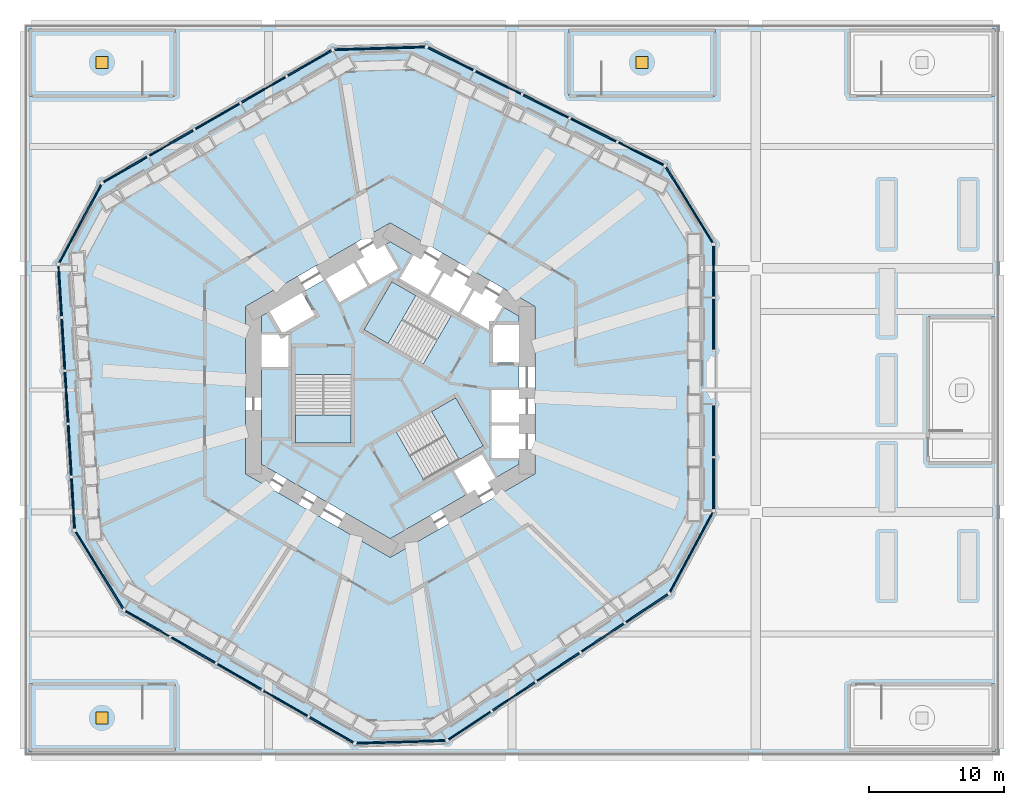
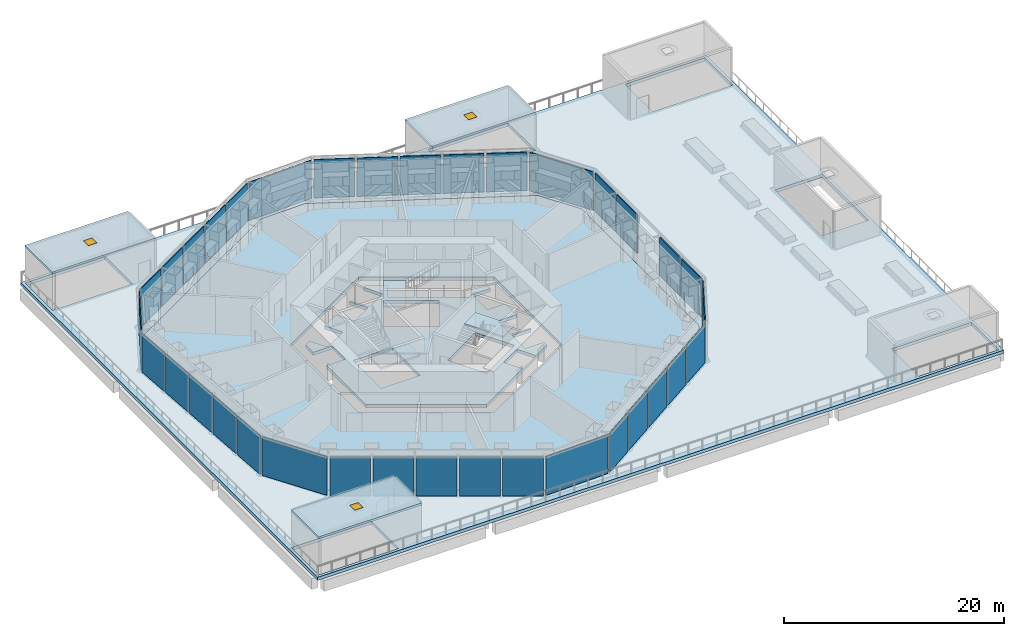
# One storey, part 5 of 20: 35 plates, 9 slabs, 3 windows, 3 openings, 15 elements without a shape of their own.
"""IFC4 building model written with IfcOpenShell, lengths in metres."""

from ifc_helpers import new_model, si_unit, direction, frame, origin, origin_2d, place, context, subcontext, project, spatial, polyline, rectangle, outline, extrude, material, layer, layer_set, type_object, element, fill, aggregate, save


model = new_model("IFC4")

# Units and contexts
model_context = context("Model", 3, precision=1e-05, world=origin(), true_north=direction((0.0, 1.0)))
body_context = subcontext(model_context, "Body", "Model", "MODEL_VIEW")
ifc_project = project(units=[si_unit("LENGTHUNIT", "METRE"), si_unit("AREAUNIT", "SQUARE_METRE"), si_unit("VOLUMEUNIT", "CUBIC_METRE"), si_unit("PLANEANGLEUNIT", "RADIAN"), si_unit("MASSUNIT", "GRAM", prefix="KILO")], contexts=[model_context])

# Site, building, storey
site_placement = place(None, origin())
site = spatial("IfcSite", under=ifc_project, at=site_placement, CompositionType="ELEMENT")
building_placement = place(site_placement, origin())
building = spatial("IfcBuilding", under=site, at=building_placement, Name="Vanh Sen Convention Tower", CompositionType="ELEMENT")
storey_placement = place(building_placement, frame((0.0, 0.0, 34.5)))
storey = spatial("IfcBuildingStorey", under=building, at=storey_placement, Name="L05", CompositionType="ELEMENT", Elevation=34.5)

# Slabs
ifc_material_1 = material(Name="Concrete C40/50", Category="concrete")
ifc_layer_1 = layer(ifc_material_1, 0.35009765625)
ifc_layer_set_1 = layer_set([ifc_layer_1], Name="Concrete C40/50")
slab_type_1 = type_object("IfcSlabType", Name="Core slab 350", PredefinedType="FLOOR", material=ifc_layer_set_1)
slab_1_placement = place(storey_placement, frame((0.0, 0.0, -0.35009765625)))
element("IfcSlab", 1, at=slab_1_placement, inside=storey, type_object=slab_type_1, Name="Core slab L05", PredefinedType="FLOOR", context=body_context, shape_type="SweptSolid", body=[
    extrude(outline(polyline([(9.5, 5.48486328125), (9.5, 4.800048828125), (7.60009765625, 4.800048828125), (7.60009765625, 2.050048828125), (9.5, 2.050048828125), (9.5, 0.0), (7.5, 0.0), (7.5, -2.39990234375), (9.5, -2.39990234375), (9.5, -2.60009765625), (7.5, -2.60009765625), (7.5, -5.0), (9.5, -5.0), (9.5, -5.48486328125), (0.0, -10.9697265625), (-9.5, -5.48486328125), (-9.5, 1.699951171875), (-7.5, 1.699951171875), (-7.5, 4.10009765625), (-9.5, 4.10009765625), (-9.5, 5.48486328125), (-8.906982421875, 5.8271484375), (-7.956787109375, 4.181884765625), (-5.575439453125, 5.556884765625), (-6.525390625, 7.2021484375), (-4.75, 8.227294921875), (-3.75, 6.4951171875), (-1.67138671875, 7.6953125), (-2.67138671875, 9.42724609375), (-2.498291015625, 9.527099609375), (-1.498291015625, 7.795166015625), (0.580078125, 8.9951171875), (-0.419921875, 10.727294921875), (0.0, 10.9697265625), (1.718994140625, 9.977294921875), (0.718994140625, 8.2451171875), (2.79736328125, 7.045166015625), (3.79736328125, 8.777099609375), (3.970703125, 8.67724609375), (2.970703125, 6.9453125), (5.049072265625, 5.7451171875), (6.049072265625, 7.477294921875), (6.22216796875, 7.377197265625), (5.22216796875, 5.645263671875), (7.30078125, 4.4453125), (8.30078125, 6.17724609375), (9.5, 5.48486328125)]), holes=[polyline([(-7.0, 3.14990234375), (-7.0, -3.909912109375), (-2.89990234375, -3.909912109375), (-2.89990234375, 3.14990234375), (-2.89990234375, 1.1494140625), (-7.0, 1.1494140625), (-7.0, 3.14990234375)]), polyline([(4.495361328125, 5.487548828125), (6.22802734375, 4.4873046875), (0.11376953125, 8.01708984375), (-1.936279296875, 4.466552734375), (2.4453125, 1.936767578125), (4.495361328125, 5.487548828125)]), polyline([(7.781005859375, -6.477294921875), (6.781005859375, -4.7451171875), (4.70263671875, -5.9453125), (5.70263671875, -7.67724609375), (7.781005859375, -6.477294921875)]), polyline([(0.45458984375, -3.086181640625), (2.504638671875, -6.63671875), (6.88623046875, -4.107177734375), (4.836181640625, -0.556396484375), (-1.278076171875, -4.08642578125), (0.45458984375, -3.086181640625)])]), origin(), (0.0, 0.0, 1.0), 0.35009765625),
])
ifc_layer_2 = layer(ifc_material_1, 0.35009765625)
ifc_layer_set_2 = layer_set([ifc_layer_2], Name="Concrete C40/50")
slab_type_2 = type_object("IfcSlabType", Name="Floor slab 350, compartment floor REI 180", PredefinedType="FLOOR", material=ifc_layer_set_2)
slab_2_placement = place(storey_placement, frame((0.0, 0.0, -0.35009765625)))
element("IfcSlab", 2, at=slab_2_placement, inside=storey, type_object=slab_type_2, Name="Floor slab L05 tower", PredefinedType="FLOOR", context=body_context, shape_type="SweptSolid", body=[
    extrude(outline(polyline([(-23.663818359375, 10.14794921875), (-22.364990234375, -11.085205078125), (-19.89990234375, -15.069091796875), (-1.476806640625, -25.705322265625), (3.04345703125, -25.5673828125), (20.78271484375, -13.825927734375), (23.0, -9.69921875), (23.0, 11.57373046875), (20.620361328125, 15.419189453125), (1.58251953125, 24.911376953125), (-3.10009765625, 24.768310546875), (-21.523193359375, 14.131591796875), (-23.663818359375, 10.14794921875)]), holes=[polyline([(0.0, 12.355224609375), (-10.699951171875, 6.177490234375), (-10.699951171875, -6.177490234375), (0.0, -12.355224609375), (10.699951171875, -6.177490234375), (10.699951171875, 6.177490234375), (0.0, 12.355224609375)])]), origin(), (0.0, 0.0, 1.0), 0.35009765625),
])

# Slab, opening, window
ifc_layer_3 = layer(ifc_material_1, 0.25)
ifc_layer_set_3 = layer_set([ifc_layer_3], Name="Concrete C40/50")
slab_type_3 = type_object("IfcSlabType", Name="Head-house roof slab 250", PredefinedType="ROOF", material=ifc_layer_set_3)
slab_3_placement = place(storey_placement, frame((0.0, 0.0, 3.949951171875)))
slab_3 = element("IfcSlab", 3, at=slab_3_placement, inside=storey, type_object=slab_type_3, Name="Head-house roof PS4", PredefinedType="ROOF", context=body_context, shape_type="SweptSolid", body=[
    extrude(outline(polyline([(13.199951171875, 21.72509765625), (24.0, 21.72509765625), (24.0, 26.699951171875), (13.199951171875, 26.699951171875), (13.199951171875, 21.72509765625)])), origin(), (0.0, 0.0, 1.0), 0.25),
])
opening_1_placement = place(slab_3_placement, frame((18.60009765625, 24.21240234375, -0.010009765625)))
opening_1 = element("IfcOpeningElement", 4, at=opening_1_placement, cuts=slab_3, Name="Opening RH2", PredefinedType="OPENING", context=body_context, shape_type="SweptSolid", body=[
    extrude(rectangle(XDim=0.89990234375, YDim=0.89990234375, at=origin_2d()), origin(), (0.0, 0.0, 1.0), 0.27001953125),
])
ifc_material_2 = material(Name="Galvanised steel hatch with insulated lid", Category="steel")
window_type = type_object("IfcWindowType", Name="Head-house roof hatch 900 x 900", PartitioningType="SINGLE_PANEL", PredefinedType="SKYLIGHT", material=ifc_material_2)
window_1_placement = place(opening_1_placement, frame((0.0, 0.0, 0.2099609375)))
window_1 = element("IfcWindow", 5, at=window_1_placement, inside=storey, type_object=window_type, Name="Roof hatch RH2 PS4", OverallHeight=0.89990234375, OverallWidth=0.89990234375, PartitioningType="SINGLE_PANEL", PredefinedType="SKYLIGHT", context=body_context, shape_type="SweptSolid", body=[
    extrude(rectangle(XDim=0.89990234375, YDim=0.89990234375, at=origin_2d()), origin(), (0.0, 0.0, 1.0), 0.050048828125),
])
fill(opening_1, window_1)

slab_4_placement = place(storey_placement, frame((0.0, 0.0, 3.949951171875)))
slab_4 = element("IfcSlab", 6, at=slab_4_placement, inside=storey, type_object=slab_type_3, Name="Head-house roof PS5", PredefinedType="ROOF", context=body_context, shape_type="SweptSolid", body=[
    extrude(outline(polyline([(-15.89990234375, 26.699951171875), (-26.699951171875, 26.699951171875), (-26.699951171875, 21.72509765625), (-15.89990234375, 21.72509765625), (-15.89990234375, 26.699951171875)])), origin(), (0.0, 0.0, 1.0), 0.25),
])
opening_2_placement = place(slab_4_placement, frame((-21.300048828125, 24.21240234375, -0.010009765625)))
opening_2 = element("IfcOpeningElement", 7, at=opening_2_placement, cuts=slab_4, Name="Opening RH2", PredefinedType="OPENING", context=body_context, shape_type="SweptSolid", body=[
    extrude(rectangle(XDim=0.89990234375, YDim=0.89990234375, at=origin_2d()), origin(), (0.0, 0.0, 1.0), 0.27001953125),
])
window_2_placement = place(opening_2_placement, frame((0.0, 0.0, 0.2099609375)))
window_2 = element("IfcWindow", 8, at=window_2_placement, inside=storey, type_object=window_type, Name="Roof hatch RH2 PS5", OverallHeight=0.89990234375, OverallWidth=0.89990234375, PartitioningType="SINGLE_PANEL", PredefinedType="SKYLIGHT", context=body_context, shape_type="SweptSolid", body=[
    extrude(rectangle(XDim=0.89990234375, YDim=0.89990234375, at=origin_2d()), origin(), (0.0, 0.0, 1.0), 0.050048828125),
])
fill(opening_2, window_2)

slab_5_placement = place(storey_placement, frame((0.0, 0.0, 3.949951171875)))
slab_5 = element("IfcSlab", 9, at=slab_5_placement, inside=storey, type_object=slab_type_3, Name="Head-house roof PS6", PredefinedType="ROOF", context=body_context, shape_type="SweptSolid", body=[
    extrude(outline(polyline([(-15.89990234375, -21.72509765625), (-26.699951171875, -21.72509765625), (-26.699951171875, -26.699951171875), (-15.89990234375, -26.699951171875), (-15.89990234375, -21.72509765625)])), origin(), (0.0, 0.0, 1.0), 0.25),
])
opening_3_placement = place(slab_5_placement, frame((-21.300048828125, -24.21240234375, -0.010009765625)))
opening_3 = element("IfcOpeningElement", 10, at=opening_3_placement, cuts=slab_5, Name="Opening RH2", PredefinedType="OPENING", context=body_context, shape_type="SweptSolid", body=[
    extrude(rectangle(XDim=0.89990234375, YDim=0.89990234375, at=origin_2d()), origin(), (0.0, 0.0, 1.0), 0.27001953125),
])
window_3_placement = place(opening_3_placement, frame((0.0, 0.0, 0.2099609375)))
window_3 = element("IfcWindow", 11, at=window_3_placement, inside=storey, type_object=window_type, Name="Roof hatch RH2 PS6", OverallHeight=0.89990234375, OverallWidth=0.89990234375, PartitioningType="SINGLE_PANEL", PredefinedType="SKYLIGHT", context=body_context, shape_type="SweptSolid", body=[
    extrude(rectangle(XDim=0.89990234375, YDim=0.89990234375, at=origin_2d()), origin(), (0.0, 0.0, 1.0), 0.050048828125),
])
fill(opening_3, window_3)

# Curtain wall, plates
ifc_material_3 = material(Name="Concrete C50/60", Category="concrete")
curtain_wall_type = type_object("IfcCurtainWallType", Name="Outer skin hotel zone", PredefinedType="NOTDEFINED", material=ifc_material_3)
curtain_wall_1_placement = place(storey_placement, origin())
curtain_wall_1 = element("IfcCurtainWall", 12, at=curtain_wall_1_placement, inside=storey, type_object=curtain_wall_type, Name="OUTER SKIN E L05", PredefinedType="NOTDEFINED")
ifc_layer_4 = layer(ifc_material_3, 0.10009765625)
ifc_layer_set_4 = layer_set([ifc_layer_4], Name="Concrete C50/60")
plate_type = type_object("IfcPlateType", Name="Outer skin precast screen panel 100", PredefinedType="CURTAIN_PANEL", material=ifc_layer_set_4)
plate_1_placement = place(storey_placement, frame((23.89990234375, -6.91943359375, 0.0), z_axis=(0.0, 0.0, 1.0), x_axis=(0.0, 1.0, 0.0)))
plate_1 = element("IfcPlate", 13, at=plate_1_placement, type_object=plate_type, Name="OUTER SKIN screen panel E-1", PredefinedType="CURTAIN_PANEL", context=body_context, shape_type="SweptSolid", body=[
    extrude(rectangle(XDim=3.709716796875, YDim=0.10009765625, at=origin_2d()), origin(), (0.0, 0.0, 1.0), 4.25),
])
plate_2_placement = place(storey_placement, frame((23.89990234375, -2.997314453125, 0.0), z_axis=(0.0, 0.0, 1.0), x_axis=(0.0, 1.0, 0.0)))
plate_2 = element("IfcPlate", 14, at=plate_2_placement, type_object=plate_type, Name="OUTER SKIN screen panel E-2", PredefinedType="CURTAIN_PANEL", context=body_context, shape_type="SweptSolid", body=[
    extrude(rectangle(XDim=3.734619140625, YDim=0.10009765625, at=origin_2d()), origin(), (0.0, 0.0, 1.0), 4.25),
])
plate_3_placement = place(storey_placement, frame((23.89990234375, 4.871826171875, 0.0), z_axis=(0.0, 0.0, 1.0), x_axis=(0.0, 1.0, 0.0)))
plate_3 = element("IfcPlate", 15, at=plate_3_placement, type_object=plate_type, Name="OUTER SKIN screen panel E-4", PredefinedType="CURTAIN_PANEL", context=body_context, shape_type="SweptSolid", body=[
    extrude(rectangle(XDim=3.734619140625, YDim=0.10009765625, at=origin_2d()), origin(), (0.0, 0.0, 1.0), 4.25),
])
plate_4_placement = place(storey_placement, frame((23.89990234375, 8.7939453125, 0.0), z_axis=(0.0, 0.0, 1.0), x_axis=(0.0, 1.0, 0.0)))
plate_4 = element("IfcPlate", 16, at=plate_4_placement, type_object=plate_type, Name="OUTER SKIN screen panel E-5", PredefinedType="CURTAIN_PANEL", context=body_context, shape_type="SweptSolid", body=[
    extrude(rectangle(XDim=3.709716796875, YDim=0.10009765625, at=origin_2d()), origin(), (0.0, 0.0, 1.0), 4.25),
])
aggregate(curtain_wall_1, [plate_1, plate_2, plate_3, plate_4])

# Curtain wall, plate
curtain_wall_2_placement = place(storey_placement, origin())
curtain_wall_2 = element("IfcCurtainWall", 17, at=curtain_wall_2_placement, inside=storey, type_object=curtain_wall_type, Name="OUTER SKIN CH1 L05", PredefinedType="NOTDEFINED")
plate_5_placement = place(storey_placement, frame((22.102783203125, 13.677734375, 0.0), z_axis=(0.0, 0.0, 1.0), x_axis=(-0.526212439506, 0.850353143411, 0.0)))
plate_5 = element("IfcPlate", 18, at=plate_5_placement, type_object=plate_type, Name="OUTER SKIN screen panel CH1-1", PredefinedType="CURTAIN_PANEL", context=body_context, shape_type="SweptSolid", body=[
    extrude(rectangle(XDim=6.580078125, YDim=0.10009765625, at=origin_2d()), origin(), (0.0, 0.0, 1.0), 4.25),
])
aggregate(curtain_wall_2, [plate_5])

# Curtain wall, plates
curtain_wall_3_placement = place(storey_placement, origin())
curtain_wall_3 = element("IfcCurtainWall", 19, at=curtain_wall_3_placement, inside=storey, type_object=curtain_wall_type, Name="OUTER SKIN NE L05", PredefinedType="NOTDEFINED")
plate_6_placement = place(storey_placement, frame((18.5341796875, 17.465087890625, 0.0), z_axis=(0.0, 0.0, 1.0), x_axis=(-0.894935140363, 0.446196251154, 0.0)))
plate_6 = element("IfcPlate", 20, at=plate_6_placement, type_object=plate_type, Name="OUTER SKIN screen panel NE-1", PredefinedType="CURTAIN_PANEL", context=body_context, shape_type="SweptSolid", body=[
    extrude(rectangle(XDim=3.709716796875, YDim=0.10009765625, at=origin_2d()), origin(), (0.0, 0.0, 1.0), 4.25),
])
plate_7_placement = place(storey_placement, frame((15.024169921875, 19.215087890625, 0.0), z_axis=(0.0, 0.0, 1.0), x_axis=(-0.894935140363, 0.446196251154, 0.0)))
plate_7 = element("IfcPlate", 21, at=plate_7_placement, type_object=plate_type, Name="OUTER SKIN screen panel NE-2", PredefinedType="CURTAIN_PANEL", context=body_context, shape_type="SweptSolid", body=[
    extrude(rectangle(XDim=3.734619140625, YDim=0.10009765625, at=origin_2d()), origin(), (0.0, 0.0, 1.0), 4.25),
])
plate_8_placement = place(storey_placement, frame((11.5029296875, 20.970703125, 0.0), z_axis=(0.0, 0.0, 1.0), x_axis=(-0.894935140363, 0.446196251154, 0.0)))
plate_8 = element("IfcPlate", 22, at=plate_8_placement, type_object=plate_type, Name="OUTER SKIN screen panel NE-3", PredefinedType="CURTAIN_PANEL", context=body_context, shape_type="SweptSolid", body=[
    extrude(rectangle(XDim=3.734619140625, YDim=0.10009765625, at=origin_2d()), origin(), (0.0, 0.0, 1.0), 4.25),
])
plate_9_placement = place(storey_placement, frame((7.981689453125, 22.726318359375, 0.0), z_axis=(0.0, 0.0, 1.0), x_axis=(-0.894935140363, 0.446196251154, 0.0)))
plate_9 = element("IfcPlate", 23, at=plate_9_placement, type_object=plate_type, Name="OUTER SKIN screen panel NE-4", PredefinedType="CURTAIN_PANEL", context=body_context, shape_type="SweptSolid", body=[
    extrude(rectangle(XDim=3.734619140625, YDim=0.10009765625, at=origin_2d()), origin(), (0.0, 0.0, 1.0), 4.25),
])
plate_10_placement = place(storey_placement, frame((4.4716796875, 24.476318359375, 0.0), z_axis=(0.0, 0.0, 1.0), x_axis=(-0.894935140363, 0.446196251154, 0.0)))
plate_10 = element("IfcPlate", 24, at=plate_10_placement, type_object=plate_type, Name="OUTER SKIN screen panel NE-5", PredefinedType="CURTAIN_PANEL", context=body_context, shape_type="SweptSolid", body=[
    extrude(rectangle(XDim=3.709716796875, YDim=0.10009765625, at=origin_2d()), origin(), (0.0, 0.0, 1.0), 4.25),
])
aggregate(curtain_wall_3, [plate_6, plate_7, plate_8, plate_9, plate_10])

# Curtain wall, plate
curtain_wall_4_placement = place(storey_placement, origin())
curtain_wall_4 = element("IfcCurtainWall", 25, at=curtain_wall_4_placement, inside=storey, type_object=curtain_wall_type, Name="OUTER SKIN CH2 L05", PredefinedType="NOTDEFINED")
plate_11_placement = place(storey_placement, frame((-0.771484375, 25.253662109375, 0.0), z_axis=(0.0, 0.0, 1.0), x_axis=(-0.999533644135, -0.030536768695, 0.0)))
plate_11 = element("IfcPlate", 26, at=plate_11_placement, type_object=plate_type, Name="OUTER SKIN screen panel CH2-1", PredefinedType="CURTAIN_PANEL", context=body_context, shape_type="SweptSolid", body=[
    extrude(rectangle(XDim=6.696044921875, YDim=0.10009765625, at=origin_2d()), origin(), (0.0, 0.0, 1.0), 4.25),
])
aggregate(curtain_wall_4, [plate_11])

# Curtain wall, plates
curtain_wall_5_placement = place(storey_placement, origin())
curtain_wall_5 = element("IfcCurtainWall", 27, at=curtain_wall_5_placement, inside=storey, type_object=curtain_wall_type, Name="OUTER SKIN NW L05", PredefinedType="NOTDEFINED")
plate_12_placement = place(storey_placement, frame((-5.95751953125, 24.15771484375, 0.0), z_axis=(0.0, 0.0, 1.0), x_axis=(-0.866028021766, -0.499995465495, 0.0)))
plate_12 = element("IfcPlate", 28, at=plate_12_placement, type_object=plate_type, Name="OUTER SKIN screen panel NW-1", PredefinedType="CURTAIN_PANEL", context=body_context, shape_type="SweptSolid", body=[
    extrude(rectangle(XDim=3.709716796875, YDim=0.10009765625, at=origin_2d()), origin(), (0.0, 0.0, 1.0), 4.25),
])
plate_13_placement = place(storey_placement, frame((-9.354248046875, 22.19677734375, 0.0), z_axis=(0.0, 0.0, 1.0), x_axis=(-0.866021040428, -0.500007557478, 0.0)))
plate_13 = element("IfcPlate", 29, at=plate_13_placement, type_object=plate_type, Name="OUTER SKIN screen panel NW-2", PredefinedType="CURTAIN_PANEL", context=body_context, shape_type="SweptSolid", body=[
    extrude(rectangle(XDim=3.734619140625, YDim=0.10009765625, at=origin_2d()), origin(), (0.0, 0.0, 1.0), 4.25),
])
plate_14_placement = place(storey_placement, frame((-12.76171875, 20.2294921875, 0.0), z_axis=(0.0, 0.0, 1.0), x_axis=(-0.866028021766, -0.499995465495, 0.0)))
plate_14 = element("IfcPlate", 30, at=plate_14_placement, type_object=plate_type, Name="OUTER SKIN screen panel NW-3", PredefinedType="CURTAIN_PANEL", context=body_context, shape_type="SweptSolid", body=[
    extrude(rectangle(XDim=3.734619140625, YDim=0.10009765625, at=origin_2d()), origin(), (0.0, 0.0, 1.0), 4.25),
])
plate_15_placement = place(storey_placement, frame((-16.169189453125, 18.26220703125, 0.0), z_axis=(0.0, 0.0, 1.0), x_axis=(-0.866028021766, -0.499995465495, 0.0)))
plate_15 = element("IfcPlate", 31, at=plate_15_placement, type_object=plate_type, Name="OUTER SKIN screen panel NW-4", PredefinedType="CURTAIN_PANEL", context=body_context, shape_type="SweptSolid", body=[
    extrude(rectangle(XDim=3.734619140625, YDim=0.10009765625, at=origin_2d()), origin(), (0.0, 0.0, 1.0), 4.25),
])
plate_16_placement = place(storey_placement, frame((-19.56591796875, 16.301025390625, 0.0), z_axis=(0.0, 0.0, 1.0), x_axis=(-0.866021040428, -0.500007557478, 0.0)))
plate_16 = element("IfcPlate", 32, at=plate_16_placement, type_object=plate_type, Name="OUTER SKIN screen panel NW-5", PredefinedType="CURTAIN_PANEL", context=body_context, shape_type="SweptSolid", body=[
    extrude(rectangle(XDim=3.70947265625, YDim=0.10009765625, at=origin_2d()), origin(), (0.0, 0.0, 1.0), 4.25),
])
aggregate(curtain_wall_5, [plate_12, plate_13, plate_14, plate_15, plate_16])

# Curtain wall, plate
curtain_wall_6_placement = place(storey_placement, origin())
curtain_wall_6 = element("IfcCurtainWall", 33, at=curtain_wall_6_placement, inside=storey, type_object=curtain_wall_type, Name="OUTER SKIN CH3 L05", PredefinedType="NOTDEFINED")
plate_17_placement = place(storey_placement, frame((-22.896728515625, 12.302978515625, 0.0), z_axis=(0.0, 0.0, 1.0), x_axis=(-0.47331812974, -0.880891564303, 0.0)))
plate_17 = element("IfcPlate", 34, at=plate_17_placement, type_object=plate_type, Name="OUTER SKIN screen panel CH3-1", PredefinedType="CURTAIN_PANEL", context=body_context, shape_type="SweptSolid", body=[
    extrude(rectangle(XDim=6.580078125, YDim=0.10009765625, at=origin_2d()), origin(), (0.0, 0.0, 1.0), 4.25),
])
aggregate(curtain_wall_6, [plate_17])

# Curtain wall, plates
curtain_wall_7_placement = place(storey_placement, origin())
curtain_wall_7 = element("IfcCurtainWall", 35, at=curtain_wall_7_placement, inside=storey, type_object=curtain_wall_type, Name="OUTER SKIN W L05", PredefinedType="NOTDEFINED")
plate_18_placement = place(storey_placement, frame((-24.39208984375, 7.318603515625, 0.0), z_axis=(0.0, 0.0, 1.0), x_axis=(0.061046797461, -0.99813490497, 0.0)))
plate_18 = element("IfcPlate", 36, at=plate_18_placement, type_object=plate_type, Name="OUTER SKIN screen panel W-1", PredefinedType="CURTAIN_PANEL", context=body_context, shape_type="SweptSolid", body=[
    extrude(rectangle(XDim=3.709716796875, YDim=0.10009765625, at=origin_2d()), origin(), (0.0, 0.0, 1.0), 4.25),
])
plate_19_placement = place(storey_placement, frame((-24.15283203125, 3.40380859375, 0.0), z_axis=(0.0, 0.0, 1.0), x_axis=(0.061048539535, -0.998134798422, 0.0)))
plate_19 = element("IfcPlate", 37, at=plate_19_placement, type_object=plate_type, Name="OUTER SKIN screen panel W-2", PredefinedType="CURTAIN_PANEL", context=body_context, shape_type="SweptSolid", body=[
    extrude(rectangle(XDim=3.734619140625, YDim=0.10009765625, at=origin_2d()), origin(), (0.0, 0.0, 1.0), 4.25),
])
plate_20_placement = place(storey_placement, frame((-23.91259765625, -0.523681640625, 0.0), z_axis=(0.0, 0.0, 1.0), x_axis=(0.061046797461, -0.99813490497, 0.0)))
plate_20 = element("IfcPlate", 38, at=plate_20_placement, type_object=plate_type, Name="OUTER SKIN screen panel W-3", PredefinedType="CURTAIN_PANEL", context=body_context, shape_type="SweptSolid", body=[
    extrude(rectangle(XDim=3.734619140625, YDim=0.10009765625, at=origin_2d()), origin(), (0.0, 0.0, 1.0), 4.25),
])
plate_21_placement = place(storey_placement, frame((-23.67236328125, -4.45068359375, 0.0), z_axis=(0.0, 0.0, 1.0), x_axis=(0.061048539535, -0.998134798422, 0.0)))
plate_21 = element("IfcPlate", 39, at=plate_21_placement, type_object=plate_type, Name="OUTER SKIN screen panel W-4", PredefinedType="CURTAIN_PANEL", context=body_context, shape_type="SweptSolid", body=[
    extrude(rectangle(XDim=3.734619140625, YDim=0.10009765625, at=origin_2d()), origin(), (0.0, 0.0, 1.0), 4.25),
])
plate_22_placement = place(storey_placement, frame((-23.43310546875, -8.365478515625, 0.0), z_axis=(0.0, 0.0, 1.0), x_axis=(0.061046797461, -0.99813490497, 0.0)))
plate_22 = element("IfcPlate", 40, at=plate_22_placement, type_object=plate_type, Name="OUTER SKIN screen panel W-5", PredefinedType="CURTAIN_PANEL", context=body_context, shape_type="SweptSolid", body=[
    extrude(rectangle(XDim=3.709716796875, YDim=0.10009765625, at=origin_2d()), origin(), (0.0, 0.0, 1.0), 4.25),
])
aggregate(curtain_wall_7, [plate_18, plate_19, plate_20, plate_21, plate_22])

# Curtain wall, plate
curtain_wall_8_placement = place(storey_placement, origin())
curtain_wall_8 = element("IfcCurtainWall", 41, at=curtain_wall_8_placement, inside=storey, type_object=curtain_wall_type, Name="OUTER SKIN CH4 L05", PredefinedType="NOTDEFINED")
plate_23_placement = place(storey_placement, frame((-21.484619140625, -13.295166015625, 0.0), z_axis=(0.0, 0.0, 1.0), x_axis=(0.526205018755, -0.850357735448, 0.0)))
plate_23 = element("IfcPlate", 42, at=plate_23_placement, type_object=plate_type, Name="OUTER SKIN screen panel CH4-1", PredefinedType="CURTAIN_PANEL", context=body_context, shape_type="SweptSolid", body=[
    extrude(rectangle(XDim=6.6962890625, YDim=0.10009765625, at=origin_2d()), origin(), (0.0, 0.0, 1.0), 4.25),
])
aggregate(curtain_wall_8, [plate_23])

# Curtain wall, plates
curtain_wall_9_placement = place(storey_placement, origin())
curtain_wall_9 = element("IfcCurtainWall", 43, at=curtain_wall_9_placement, inside=storey, type_object=curtain_wall_type, Name="OUTER SKIN SW L05", PredefinedType="NOTDEFINED")
plate_24_placement = place(storey_placement, frame((-17.9423828125, -17.23828125, 0.0), z_axis=(0.0, 0.0, 1.0), x_axis=(0.866028021766, -0.499995465495, 0.0)))
plate_24 = element("IfcPlate", 44, at=plate_24_placement, type_object=plate_type, Name="OUTER SKIN screen panel SW-1", PredefinedType="CURTAIN_PANEL", context=body_context, shape_type="SweptSolid", body=[
    extrude(rectangle(XDim=3.709716796875, YDim=0.10009765625, at=origin_2d()), origin(), (0.0, 0.0, 1.0), 4.25),
])
plate_25_placement = place(storey_placement, frame((-14.5458984375, -19.19921875, 0.0), z_axis=(0.0, 0.0, 1.0), x_axis=(0.866032385017, -0.499987907955, 0.0)))
plate_25 = element("IfcPlate", 45, at=plate_25_placement, type_object=plate_type, Name="OUTER SKIN screen panel SW-2", PredefinedType="CURTAIN_PANEL", context=body_context, shape_type="SweptSolid", body=[
    extrude(rectangle(XDim=3.734619140625, YDim=0.10009765625, at=origin_2d()), origin(), (0.0, 0.0, 1.0), 4.25),
])
plate_26_placement = place(storey_placement, frame((-11.138427734375, -21.16650390625, 0.0), z_axis=(0.0, 0.0, 1.0), x_axis=(0.866028021766, -0.499995465495, 0.0)))
plate_26 = element("IfcPlate", 46, at=plate_26_placement, type_object=plate_type, Name="OUTER SKIN screen panel SW-3", PredefinedType="CURTAIN_PANEL", context=body_context, shape_type="SweptSolid", body=[
    extrude(rectangle(XDim=3.734619140625, YDim=0.10009765625, at=origin_2d()), origin(), (0.0, 0.0, 1.0), 4.25),
])
plate_27_placement = place(storey_placement, frame((-7.73095703125, -23.1337890625, 0.0), z_axis=(0.0, 0.0, 1.0), x_axis=(0.866028021766, -0.499995465495, 0.0)))
plate_27 = element("IfcPlate", 47, at=plate_27_placement, type_object=plate_type, Name="OUTER SKIN screen panel SW-4", PredefinedType="CURTAIN_PANEL", context=body_context, shape_type="SweptSolid", body=[
    extrude(rectangle(XDim=3.734619140625, YDim=0.10009765625, at=origin_2d()), origin(), (0.0, 0.0, 1.0), 4.25),
])
plate_28_placement = place(storey_placement, frame((-4.334228515625, -25.094970703125, 0.0), z_axis=(0.0, 0.0, 1.0), x_axis=(0.866021040428, -0.500007557478, 0.0)))
plate_28 = element("IfcPlate", 48, at=plate_28_placement, type_object=plate_type, Name="OUTER SKIN screen panel SW-5", PredefinedType="CURTAIN_PANEL", context=body_context, shape_type="SweptSolid", body=[
    extrude(rectangle(XDim=3.70947265625, YDim=0.10009765625, at=origin_2d()), origin(), (0.0, 0.0, 1.0), 4.25),
])
aggregate(curtain_wall_9, [plate_24, plate_25, plate_26, plate_27, plate_28])

# Curtain wall, plate
curtain_wall_10_placement = place(storey_placement, origin())
curtain_wall_10 = element("IfcCurtainWall", 49, at=curtain_wall_10_placement, inside=storey, type_object=curtain_wall_type, Name="OUTER SKIN CH5 L05", PredefinedType="NOTDEFINED")
plate_29_placement = place(storey_placement, frame((0.793701171875, -25.98046875, 0.0), z_axis=(0.0, 0.0, 1.0), x_axis=(0.999533484231, 0.03054200224, 0.0)))
plate_29 = element("IfcPlate", 50, at=plate_29_placement, type_object=plate_type, Name="OUTER SKIN screen panel CH5-1", PredefinedType="CURTAIN_PANEL", context=body_context, shape_type="SweptSolid", body=[
    extrude(rectangle(XDim=6.580078125, YDim=0.10009765625, at=origin_2d()), origin(), (0.0, 0.0, 1.0), 4.25),
])
aggregate(curtain_wall_10, [plate_29])

# Curtain wall, plates
curtain_wall_11_placement = place(storey_placement, origin())
curtain_wall_11 = element("IfcCurtainWall", 51, at=curtain_wall_11_placement, inside=storey, type_object=curtain_wall_type, Name="OUTER SKIN SE L05", PredefinedType="NOTDEFINED")
plate_30_placement = place(storey_placement, frame((5.858154296875, -24.783447265625, 0.0), z_axis=(0.0, 0.0, 1.0), x_axis=(0.833891601892, 0.55192825285, 0.0)))
plate_30 = element("IfcPlate", 52, at=plate_30_placement, type_object=plate_type, Name="OUTER SKIN screen panel SE-1", PredefinedType="CURTAIN_PANEL", context=body_context, shape_type="SweptSolid", body=[
    extrude(rectangle(XDim=3.709716796875, YDim=0.10009765625, at=origin_2d()), origin(), (0.0, 0.0, 1.0), 4.25),
])
plate_31_placement = place(storey_placement, frame((9.128662109375, -22.618896484375, 0.0), z_axis=(0.0, 0.0, 1.0), x_axis=(0.833891601892, 0.55192825285, 0.0)))
plate_31 = element("IfcPlate", 53, at=plate_31_placement, type_object=plate_type, Name="OUTER SKIN screen panel SE-2", PredefinedType="CURTAIN_PANEL", context=body_context, shape_type="SweptSolid", body=[
    extrude(rectangle(XDim=3.734619140625, YDim=0.10009765625, at=origin_2d()), origin(), (0.0, 0.0, 1.0), 4.25),
])
plate_32_placement = place(storey_placement, frame((12.40966796875, -20.447265625, 0.0), z_axis=(0.0, 0.0, 1.0), x_axis=(0.833880042151, 0.551945717714, 0.0)))
plate_32 = element("IfcPlate", 54, at=plate_32_placement, type_object=plate_type, Name="OUTER SKIN screen panel SE-3", PredefinedType="CURTAIN_PANEL", context=body_context, shape_type="SweptSolid", body=[
    extrude(rectangle(XDim=3.734619140625, YDim=0.10009765625, at=origin_2d()), origin(), (0.0, 0.0, 1.0), 4.25),
])
plate_33_placement = place(storey_placement, frame((15.690673828125, -18.275390625, 0.0), z_axis=(0.0, 0.0, 1.0), x_axis=(0.833891601892, 0.55192825285, 0.0)))
plate_33 = element("IfcPlate", 55, at=plate_33_placement, type_object=plate_type, Name="OUTER SKIN screen panel SE-4", PredefinedType="CURTAIN_PANEL", context=body_context, shape_type="SweptSolid", body=[
    extrude(rectangle(XDim=3.734619140625, YDim=0.10009765625, at=origin_2d()), origin(), (0.0, 0.0, 1.0), 4.25),
])
plate_34_placement = place(storey_placement, frame((18.961181640625, -16.11083984375, 0.0), z_axis=(0.0, 0.0, 1.0), x_axis=(0.833880042151, 0.551945717714, 0.0)))
plate_34 = element("IfcPlate", 56, at=plate_34_placement, type_object=plate_type, Name="OUTER SKIN screen panel SE-5", PredefinedType="CURTAIN_PANEL", context=body_context, shape_type="SweptSolid", body=[
    extrude(rectangle(XDim=3.709716796875, YDim=0.10009765625, at=origin_2d()), origin(), (0.0, 0.0, 1.0), 4.25),
])
aggregate(curtain_wall_11, [plate_30, plate_31, plate_32, plate_33, plate_34])

# Curtain wall, plate
curtain_wall_12_placement = place(storey_placement, origin())
curtain_wall_12 = element("IfcCurtainWall", 57, at=curtain_wall_12_placement, inside=storey, type_object=curtain_wall_type, Name="OUTER SKIN CH6 L05", PredefinedType="NOTDEFINED")
plate_35_placement = place(storey_placement, frame((22.256103515625, -11.95849609375, 0.0), z_axis=(0.0, 0.0, 1.0), x_axis=(0.473322742071, 0.880889086003, 0.0)))
plate_35 = element("IfcPlate", 58, at=plate_35_placement, type_object=plate_type, Name="OUTER SKIN screen panel CH6-1", PredefinedType="CURTAIN_PANEL", context=body_context, shape_type="SweptSolid", body=[
    extrude(rectangle(XDim=6.6962890625, YDim=0.10009765625, at=origin_2d()), origin(), (0.0, 0.0, 1.0), 4.25),
])
aggregate(curtain_wall_12, [plate_35])

# Slab
ifc_layer_5 = layer(ifc_material_1, 0.35009765625)
ifc_layer_set_5 = layer_set([ifc_layer_5], Name="Concrete C40/50")
slab_type_4 = type_object("IfcSlabType", Name="Roof terrace slab 350, compartment floor REI 180", PredefinedType="ROOF", material=ifc_layer_set_5)
slab_6_placement = place(storey_placement, frame((0.0, 0.0, -0.35009765625)))
element("IfcSlab", 59, at=slab_6_placement, inside=storey, type_object=slab_type_4, Name="Podium roof terrace slab", PredefinedType="ROOF", context=body_context, shape_type="SweptSolid", body=[
    extrude(outline(polyline([(45.0, 27.0), (-27.0, 27.0), (-27.0, -27.0), (45.0, -27.0), (45.0, 27.0)]), holes=[polyline([(-22.364990234375, -11.085205078125), (-19.89990234375, -15.069091796875), (-1.476806640625, -25.705322265625), (3.04345703125, -25.5673828125), (20.78271484375, -13.825927734375), (23.0, -9.69921875), (23.0, 11.57373046875), (20.620361328125, 15.419189453125), (1.58251953125, 24.911376953125), (-3.10009765625, 24.768310546875), (-21.523193359375, 14.131591796875), (-23.663818359375, 10.14794921875), (-22.364990234375, -11.085205078125)]), polyline([(44.699951171875, 26.699951171875), (36.30078125, 26.699951171875), (36.30078125, 21.72509765625), (44.699951171875, 21.72509765625), (44.699951171875, 26.699951171875)]), polyline([(36.30078125, -26.699951171875), (44.699951171875, -26.699951171875), (44.699951171875, -21.72509765625), (36.30078125, -21.72509765625), (36.30078125, -26.699951171875)]), polyline([(39.72509765625, -2.999267578125), (44.699951171875, -2.999267578125), (44.699951171875, 5.39990234375), (39.72509765625, 5.39990234375), (39.72509765625, -2.999267578125)]), polyline([(15.6005859375, 26.699951171875), (15.6005859375, 21.72509765625), (24.0, 21.72509765625), (24.0, 26.699951171875), (15.6005859375, 26.699951171875)]), polyline([(-26.699951171875, 26.699951171875), (-26.699951171875, 21.72509765625), (-18.30078125, 21.72509765625), (-18.30078125, 26.699951171875), (-26.699951171875, 26.699951171875)]), polyline([(-26.699951171875, -21.72509765625), (-26.699951171875, -26.699951171875), (-18.30078125, -26.699951171875), (-18.30078125, -21.72509765625), (-26.699951171875, -21.72509765625)])]), origin(), (0.0, 0.0, 1.0), 0.35009765625),
])

# Stair, slab
ifc_material_4 = material(Name="Concrete C50/60", Category="concrete")
stair_type_1 = type_object("IfcStairType", Name="Exit stair ST1 26 risers at 173.1", PredefinedType="HALF_TURN_STAIR", material=ifc_material_4)
stair_1_placement = place(storey_placement, origin())
stair_1 = element("IfcStair", 60, at=stair_1_placement, inside=storey, type_object=stair_type_1, Name="Exit stair ST1 L05", PredefinedType="HALF_TURN_STAIR")
ifc_layer_6 = layer(ifc_material_1, 0.199951171875)
ifc_layer_set_6 = layer_set([ifc_layer_6], Name="Concrete C40/50")
slab_type_5 = type_object("IfcSlabType", Name="Stair landing 200", PredefinedType="LANDING", material=ifc_layer_set_6)
slab_7_placement = place(storey_placement, frame((0.0, 0.0, 2.050048828125)))
slab_7 = element("IfcSlab", 61, at=slab_7_placement, type_object=slab_type_5, Name="ST1 landing 1", PredefinedType="LANDING", context=body_context, shape_type="SweptSolid", body=[
    extrude(outline(polyline([(1.8984375, 6.98681640625), (0.11376953125, 8.01708984375), (-1.936279296875, 4.466552734375), (-0.151611328125, 3.43603515625), (1.8984375, 6.98681640625)])), origin(), (0.0, 0.0, 1.0), 0.199951171875),
])
aggregate(stair_1, [slab_7])

stair_type_2 = type_object("IfcStairType", Name="Exit stair ST2 26 risers at 173.1", PredefinedType="HALF_TURN_STAIR", material=ifc_material_4)
stair_2_placement = place(storey_placement, origin())
stair_2 = element("IfcStair", 62, at=stair_2_placement, inside=storey, type_object=stair_type_2, Name="Exit stair ST2 L05", PredefinedType="HALF_TURN_STAIR")
slab_8_placement = place(storey_placement, frame((0.0, 0.0, 2.050048828125)))
slab_8 = element("IfcSlab", 63, at=slab_8_placement, type_object=slab_type_5, Name="ST2 landing 1", PredefinedType="LANDING", context=body_context, shape_type="SweptSolid", body=[
    extrude(outline(polyline([(-7.0, -1.849365234375), (-7.0, -3.909912109375), (-2.89990234375, -3.909912109375), (-2.89990234375, -1.849365234375), (-7.0, -1.849365234375)])), origin(), (0.0, 0.0, 1.0), 0.199951171875),
])
aggregate(stair_2, [slab_8])

stair_type_3 = type_object("IfcStairType", Name="Exit stair ST3 26 risers at 173.1", PredefinedType="HALF_TURN_STAIR", material=ifc_material_4)
stair_3_placement = place(storey_placement, origin())
stair_3 = element("IfcStair", 64, at=stair_3_placement, inside=storey, type_object=stair_type_3, Name="Exit stair ST3 L05", PredefinedType="HALF_TURN_STAIR")
slab_9_placement = place(storey_placement, frame((0.0, 0.0, 2.050048828125)))
slab_9 = element("IfcSlab", 65, at=slab_9_placement, type_object=slab_type_5, Name="ST3 landing 1", PredefinedType="LANDING", context=body_context, shape_type="SweptSolid", body=[
    extrude(outline(polyline([(5.1015625, -5.137451171875), (6.88623046875, -4.107177734375), (4.836181640625, -0.556396484375), (3.051513671875, -1.5869140625), (5.1015625, -5.137451171875)])), origin(), (0.0, 0.0, 1.0), 0.199951171875),
])
aggregate(stair_3, [slab_9])

save(model, "model.ifc")
